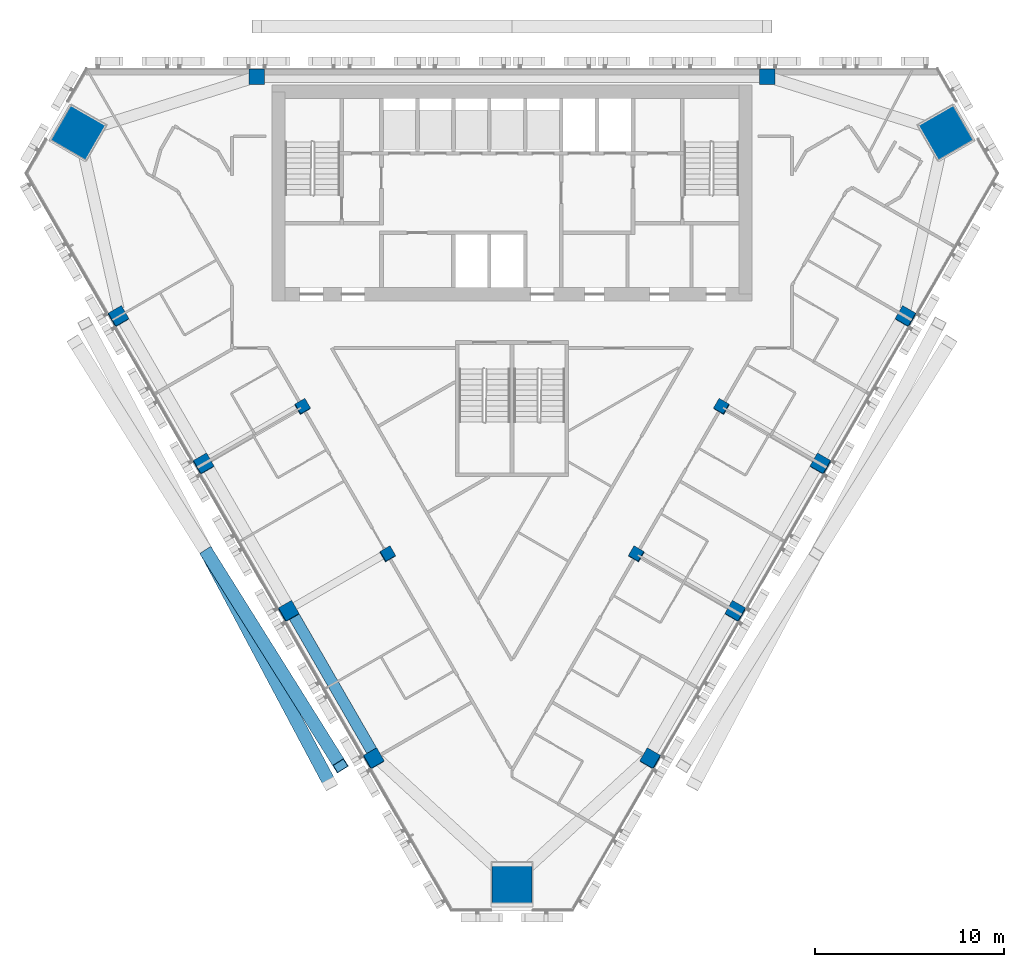
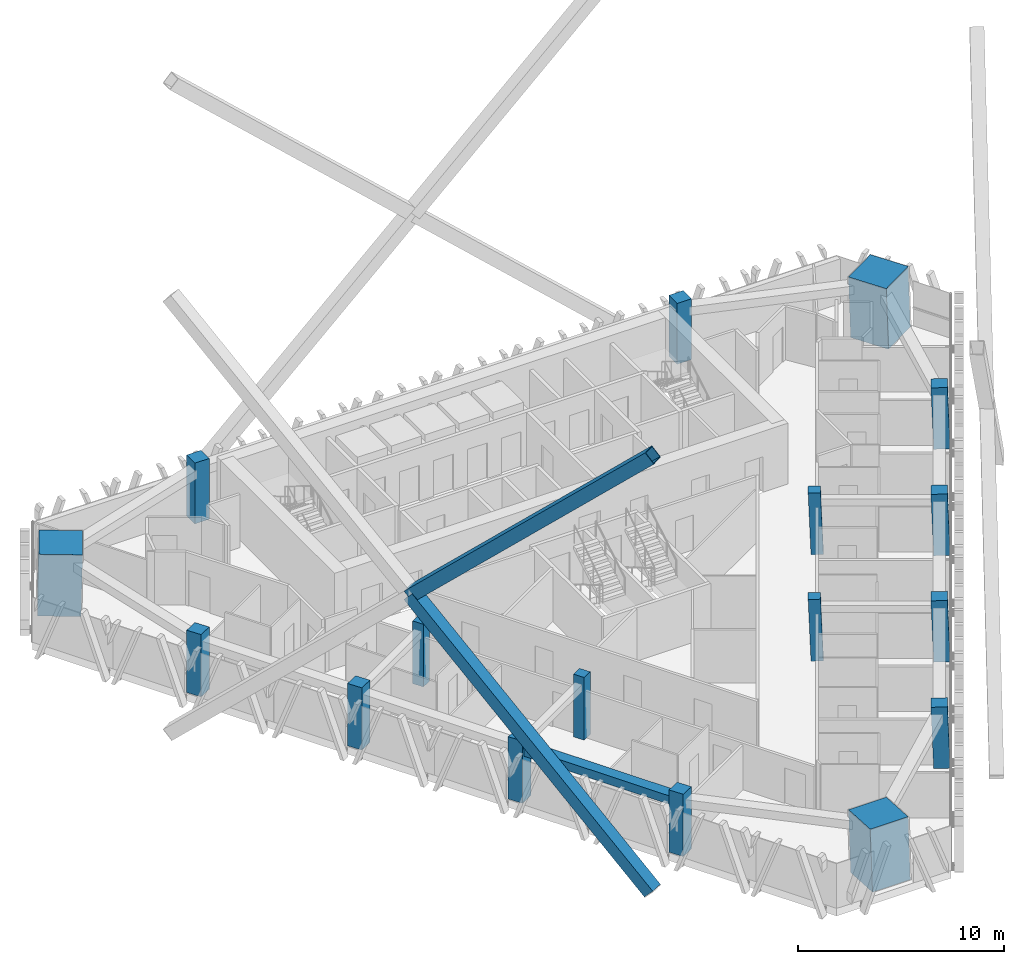
# One storey, part 1 of 17: 17 columns, 2 members, 1 beam.
"""IFC4 building model written with IfcOpenShell, lengths in metres."""

from ifc_helpers import new_model, si_unit, direction, frame, origin, origin_2d, place, context, subcontext, project, spatial, rectangle, hollow_rectangle, extrude, material, material_profile, profile_set, type_object, element, save


model = new_model("IFC4")

# Units and contexts
model_context = context("Model", 3, precision=1e-05, world=origin(), true_north=direction((0.0, 1.0)))
body_context = subcontext(model_context, "Body", "Model", "MODEL_VIEW")
ifc_project = project(units=[si_unit("LENGTHUNIT", "METRE"), si_unit("AREAUNIT", "SQUARE_METRE"), si_unit("VOLUMEUNIT", "CUBIC_METRE"), si_unit("PLANEANGLEUNIT", "RADIAN"), si_unit("MASSUNIT", "GRAM", prefix="KILO")], contexts=[model_context])

# Site, building, storey
site_placement = place(None, origin())
site = spatial("IfcSite", under=ifc_project, at=site_placement, CompositionType="ELEMENT")
building_placement = place(site_placement, origin())
building = spatial("IfcBuilding", under=site, at=building_placement, Name="Altiplano Prism Tower", CompositionType="ELEMENT")
storey_placement = place(building_placement, frame((0.0, 0.0, 194.39990234375)))
storey = spatial("IfcBuildingStorey", under=building, at=storey_placement, Name="L50", CompositionType="ELEMENT", Elevation=194.39990234375)

# Columns
ifc_material_1 = material(Name="Concrete C60/75", Category="concrete")
ifc_material_profile_1 = material_profile(ifc_material_1, rectangle(XDim=0.60009765625, YDim=0.60009765625, at=origin_2d()), Name="Inner column 600")
ifc_profile_set_1 = profile_set([ifc_material_profile_1], Name="Concrete C60/75")
column_type_1 = type_object("IfcColumnType", Name="Inner column 600", PredefinedType="COLUMN", material=ifc_profile_set_1)
for number, where, z_axis, x_axis, name in (
    (1, (73.911865234375, 87.0888671875, -0.01806640625), (0.02215519141, 0.038415882353, 0.999016199807), (-0.865361930339, -0.499673644695, 0.03840544644), "Inner column I12 L50"),
    (2, (78.411865234375, 79.294677734375, -0.01806640625), (0.02215519141, 0.038415882353, 0.999016199807), (-0.865364630406, -0.499668977735, 0.038405326858), "Inner column I13 L50"),
    (3, (91.588134765625, 79.294677734375, -0.01806640625), (-0.02215519141, 0.038415882353, 0.999016199807), (-0.500652777817, -0.865364161883, 0.022173483991), "Inner column I22 L50"),
    (4, (96.088134765625, 87.0888671875, -0.01806640625), (-0.02215519141, 0.038415882353, 0.999016199807), (-0.500657444779, -0.865361467122, 0.022173276868), "Inner column I23 L50"),
):
    element("IfcColumn", number, at=place(storey_placement, frame(where, z_axis=z_axis, x_axis=x_axis)), inside=storey, type_object=column_type_1, Name=name, PredefinedType="COLUMN", context=body_context, shape_type="SweptSolid", body=[
        extrude(rectangle(XDim=0.60009765625, YDim=0.60009765625, at=origin_2d()), origin(), (0.0, 0.0, 1.0), 3.603515625),
    ])
ifc_material_2 = material(Name="Concrete C70/85", Category="concrete")
ifc_material_profile_2 = material_profile(ifc_material_2, rectangle(XDim=2.1201171875, YDim=2.1201171875, at=origin_2d()), Name="Mega column infill 2200")
ifc_profile_set_2 = profile_set([ifc_material_profile_2], Name="Concrete C70/85")
column_type_2 = type_object("IfcColumnType", Name="Mega column infill 2200", PredefinedType="COLUMN", material=ifc_profile_set_2)
column_1_placement = place(storey_placement, frame((62.007568359375, 101.569580078125, 0.0), z_axis=(0.028334066552, 0.009286524205, 0.999555371723), x_axis=(-0.866557155579, 0.49867971023, 0.019930948781)))
element("IfcColumn", 5, at=column_1_placement, inside=storey, type_object=column_type_2, Name="Mega column M0 L50", PredefinedType="COLUMN", context=body_context, shape_type="SweptSolid", body=[
    extrude(rectangle(XDim=2.1201171875, YDim=2.1201171875, at=origin_2d()), origin(), (0.0, 0.0, 1.0), 3.601806640625),
])
column_2_placement = place(storey_placement, frame((85.0, 61.745361328125, 0.0), z_axis=(0.0, 0.058356907999, 0.998295783467), x_axis=(-1.0, 0.0, 0.0)))
element("IfcColumn", 6, at=column_2_placement, inside=storey, type_object=column_type_2, Name="Mega column M1 L50", PredefinedType="COLUMN", context=body_context, shape_type="SweptSolid", body=[
    extrude(rectangle(XDim=2.1201171875, YDim=2.1201171875, at=origin_2d()), origin(), (0.0, 0.0, 1.0), 3.606201171875),
])
column_3_placement = place(storey_placement, frame((107.992431640625, 101.569580078125, 0.0), z_axis=(-0.028334066552, 0.009286524205, 0.999555371723), x_axis=(0.498275389395, -0.866735148496, 0.022176985495)))
element("IfcColumn", 7, at=column_3_placement, inside=storey, type_object=column_type_2, Name="Mega column M2 L50", PredefinedType="COLUMN", context=body_context, shape_type="SweptSolid", body=[
    extrude(rectangle(XDim=2.1201171875, YDim=2.1201171875, at=origin_2d()), origin(), (0.0, 0.0, 1.0), 3.601806640625),
])
ifc_material_profile_3 = material_profile(ifc_material_1, rectangle(XDim=0.800048828125, YDim=0.800048828125, at=origin_2d()), Name="Perimeter column 800")
ifc_profile_set_3 = profile_set([ifc_material_profile_3], Name="Concrete C60/75")
column_type_3 = type_object("IfcColumnType", Name="Perimeter column 800", PredefinedType="COLUMN", material=ifc_profile_set_3)
for number, where, z_axis, x_axis, name in (
    (8, (98.5, 104.550048828125, 0.0), (0.0, 0.0, 1.0), (1.0, 0.0, 0.0), "Perimeter column P01 L50"),
    (9, (71.5, 104.550048828125, 0.0), (0.0, 0.0, 1.0), (1.0, 0.0, 0.0), "Perimeter column P04 L50"),
):
    element("IfcColumn", number, at=place(storey_placement, frame(where, z_axis=z_axis, x_axis=x_axis)), inside=storey, type_object=column_type_3, Name=name, PredefinedType="COLUMN", context=body_context, shape_type="SweptSolid", body=[
        extrude(rectangle(XDim=0.800048828125, YDim=0.800048828125, at=origin_2d()), origin(), (0.0, 0.0, 1.0), 3.60009765625),
    ])
for number, where, z_axis, x_axis, name in (
    (10, (64.172607421875, 91.858642578125, 0.0), (0.022235136645, 0.038468150514, 0.999012412383), (-0.865845034967, -0.498830353482, 0.038479265431), "Perimeter column P11 L50"),
    (11, (68.672607421875, 84.064453125, 0.0), (0.022235136645, 0.038468150514, 0.999012412383), (-0.865845034967, -0.498830353482, 0.038479265431), "Perimeter column P12 L50"),
    (12, (73.172607421875, 76.270263671875, 0.0), (0.022235136645, 0.038468150514, 0.999012412383), (-0.86584773923, -0.4988256688, 0.038479145231), "Perimeter column P13 L50"),
    (13, (77.672607421875, 68.47607421875, 0.0), (0.022235136645, 0.038468150514, 0.999012412383), (-0.86584773923, -0.4988256688, 0.038479145231), "Perimeter column P14 L50"),
    (14, (92.327392578125, 68.47607421875, 0.0), (-0.022235136645, 0.038468150514, 0.999012412383), (-0.499813256296, -0.865848227776, 0.022216104247), "Perimeter column P21 L50"),
    (15, (96.827392578125, 76.270263671875, 0.0), (-0.022235136645, 0.038468150514, 0.999012412383), (-0.499813256296, -0.865848227776, 0.022216104247), "Perimeter column P22 L50"),
    (16, (101.327392578125, 84.064453125, 0.0), (-0.022235136645, 0.038468150514, 0.999012412383), (-0.499817940976, -0.865845528857, 0.022215896055), "Perimeter column P23 L50"),
    (17, (105.827392578125, 91.858642578125, 0.0), (-0.022235136645, 0.038468150514, 0.999012412383), (-0.499817940976, -0.865845528857, 0.022215896055), "Perimeter column P24 L50"),
):
    element("IfcColumn", number, at=place(storey_placement, frame(where, z_axis=z_axis, x_axis=x_axis)), inside=storey, type_object=column_type_3, Name=name, PredefinedType="COLUMN", context=body_context, shape_type="SweptSolid", body=[
        extrude(rectangle(XDim=0.800048828125, YDim=0.800048828125, at=origin_2d()), origin(), (0.0, 0.0, 1.0), 3.579345703125),
    ])

# Beam
ifc_material_profile_4 = material_profile(ifc_material_1, rectangle(XDim=0.60009765625, YDim=0.5, at=origin_2d()), Name="Edge beam 600x500")
ifc_profile_set_4 = profile_set([ifc_material_profile_4], Name="Concrete C60/75")
beam_type = type_object("IfcBeamType", Name="Edge beam 600x500", PredefinedType="SPANDREL", material=ifc_profile_set_4)
beam_placement = place(storey_placement, frame((73.392578125, 76.166259765625, 2.900146484375), z_axis=(0.500027935199, -0.866009274789, 0.0), x_axis=(0.866009274789, 0.500027935199, 0.0)))
element("IfcBeam", 18, at=beam_placement, inside=storey, type_object=beam_type, Name="Edge beam P13-P14 L51", PredefinedType="SPANDREL", context=body_context, shape_type="SweptSolid", body=[
    extrude(rectangle(XDim=0.60009765625, YDim=0.5, at=origin_2d()), origin(), (0.0, 0.0, 1.0), 8.43994140625),
])

# Members
ifc_material_3 = material(Name="Steel S355", Category="steel")
ifc_material_profile_5 = material_profile(ifc_material_3, hollow_rectangle(XDim=0.699951171875, YDim=0.699951171875, WallThickness=0.034912109375, at=origin_2d()), Name="Mega brace Box 700x700x35")
ifc_profile_set_5 = profile_set([ifc_material_profile_5], Name="Steel S355")
member_type = type_object("IfcMemberType", Name="Mega brace Box 700x700x35", PredefinedType="BRACE", material=ifc_profile_set_5)
member_1_placement = place(storey_placement, frame((68.905517578125, 79.323486328125, 11.72509765625), z_axis=(0.385730316217, -0.615305851302, 0.687466968301), x_axis=(0.847277049098, 0.531151204528, 0.0)))
element("IfcMember", 19, at=member_1_placement, inside=storey, type_object=member_type, Name="Mega brace 5.1.2", PredefinedType="BRACE", context=body_context, shape_type="SweptSolid", body=[
    extrude(hollow_rectangle(XDim=0.699951171875, YDim=0.699951171875, WallThickness=0.034912109375, at=origin_2d()), origin(), (0.0, 0.0, 1.0), 18.218994140625),
])
member_2_placement = place(storey_placement, frame((75.365478515625, 67.173828125, -0.7763671875), z_axis=(-0.347474528543, 0.653517381441, 0.672440691934), x_axis=(-0.882951416223, -0.469464372014, 0.0)))
element("IfcMember", 20, at=member_2_placement, inside=storey, type_object=member_type, Name="Mega brace 5.1.3", PredefinedType="BRACE", context=body_context, shape_type="SweptSolid", body=[
    extrude(hollow_rectangle(XDim=0.699951171875, YDim=0.699951171875, WallThickness=0.034912109375, at=origin_2d()), origin(), (0.0, 0.0, 1.0), 18.591064453125),
])

save(model, "model.ifc")
